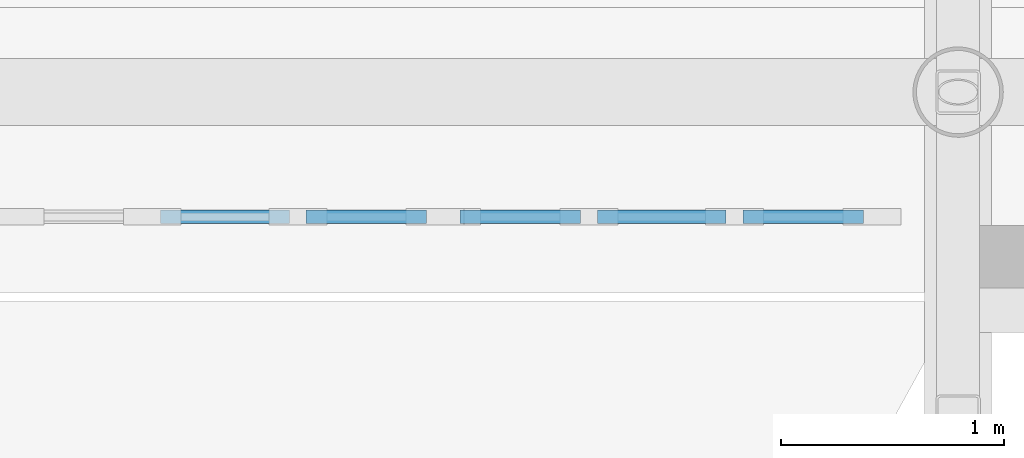
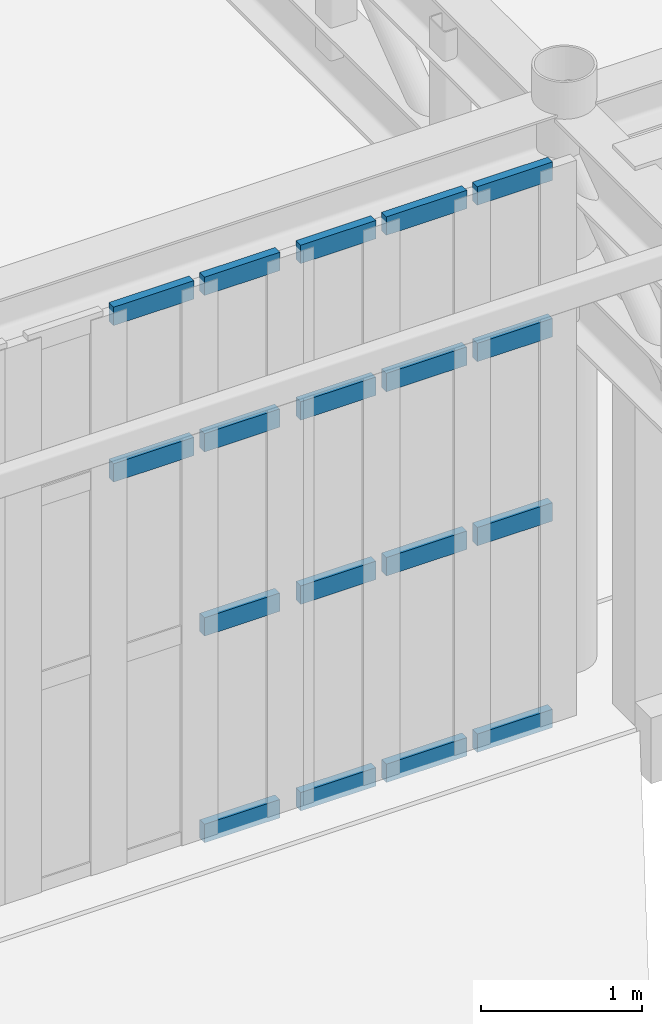
# One storey, part 38 of 91: 18 members, 2 elements without a shape of their own.
"""IFC4 building model written with IfcOpenShell, lengths in metres."""

from ifc_helpers import new_model, si_unit, direction, frame, origin, origin_2d, place, context, subcontext, project, spatial, rectangle, extrude, material, material_profile, profile_set, type_object, element, aggregate, save


model = new_model("IFC4")

# Units and contexts
model_context = context("Model", 3, precision=1e-05, world=origin(), true_north=direction((0.0, 1.0)))
body_context = subcontext(model_context, "Body", "Model", "MODEL_VIEW")
ifc_project = project(units=[si_unit("LENGTHUNIT", "METRE"), si_unit("AREAUNIT", "SQUARE_METRE"), si_unit("VOLUMEUNIT", "CUBIC_METRE"), si_unit("PLANEANGLEUNIT", "RADIAN"), si_unit("MASSUNIT", "GRAM", prefix="KILO")], contexts=[model_context])

# Site, building, storey
site_placement = place(None, origin())
site = spatial("IfcSite", under=ifc_project, at=site_placement, CompositionType="ELEMENT")
building_placement = place(site_placement, origin())
building = spatial("IfcBuilding", under=site, at=building_placement, Name="Kolvaren Corner Interchange", CompositionType="ELEMENT")
storey_placement = place(building_placement, frame((0.0, 0.0, 6.0)))
storey = spatial("IfcBuildingStorey", under=building, at=storey_placement, Name="L02", CompositionType="ELEMENT", Elevation=6.0)

# Curtain wall, members
ifc_material_1 = material(Name="Unitised Aluminium and Solar-Control Glass Curtain Wall", Category="aluminium")
curtain_wall_type = type_object("IfcCurtainWallType", Name="CW-V1-MEZZ", PredefinedType="NOTDEFINED", material=ifc_material_1)
curtain_wall_1_placement = place(storey_placement, origin())
curtain_wall_1 = element("IfcCurtainWall", 1, at=curtain_wall_1_placement, inside=storey, type_object=curtain_wall_type, Name="South Portal Mezzanine Curtain Wall Bay 17", PredefinedType="NOTDEFINED")
ifc_material_2 = material(Name="Anodised Aluminium Framing", Category="aluminium")
ifc_material_profile = material_profile(ifc_material_2, rectangle(XDim=0.06005859375, YDim=0.139892578125, at=origin_2d()), Name="ALU 60x140")
ifc_profile_set = profile_set([ifc_material_profile], Name="Anodised Aluminium Framing")
member_type = type_object("IfcMemberType", Name="TRN-ALU60x140", PredefinedType="USERDEFINED", material=ifc_profile_set)
member_1_placement = place(storey_placement, frame((104.4189453125, 24.340087890625, 3.0), z_axis=(1.0, 0.0, 0.0), x_axis=(0.0, 1.0, 0.0)))
member_1 = element("IfcMember", 2, at=member_1_placement, type_object=member_type, Name="CW-035 transom 2.3", ObjectType="TRANSOM", PredefinedType="USERDEFINED", context=body_context, shape_type="SweptSolid", body=[
    extrude(rectangle(XDim=0.06005859375, YDim=0.139892578125, at=origin_2d()), origin(), (0.0, 0.0, 1.0), 0.578857421875),
])
member_2_placement = place(storey_placement, frame((104.4189453125, 24.340087890625, 4.18994140625), z_axis=(1.0, 0.0, 0.0), x_axis=(0.0, 1.0, 0.0)))
member_2 = element("IfcMember", 3, at=member_2_placement, type_object=member_type, Name="CW-035 transom 2.4", ObjectType="TRANSOM", PredefinedType="USERDEFINED", context=body_context, shape_type="SweptSolid", body=[
    extrude(rectangle(XDim=0.06005859375, YDim=0.139892578125, at=origin_2d()), origin(), (0.0, 0.0, 1.0), 0.578857421875),
])
member_3_placement = place(storey_placement, frame((105.07275390625, 24.340087890625, 0.030029296875), z_axis=(1.0, 0.0, 0.0), x_axis=(0.0, 1.0, 0.0)))
member_3 = element("IfcMember", 4, at=member_3_placement, type_object=member_type, Name="CW-035 transom 3.1", ObjectType="TRANSOM", PredefinedType="USERDEFINED", context=body_context, shape_type="SweptSolid", body=[
    extrude(rectangle(XDim=0.06005859375, YDim=0.139892578125, at=origin_2d()), origin(), (0.0, 0.0, 1.0), 0.541259765625),
])
member_4_placement = place(storey_placement, frame((105.07275390625, 24.340087890625, 1.60009765625), z_axis=(1.0, 0.0, 0.0), x_axis=(0.0, 1.0, 0.0)))
member_4 = element("IfcMember", 5, at=member_4_placement, type_object=member_type, Name="CW-035 transom 3.2", ObjectType="TRANSOM", PredefinedType="USERDEFINED", context=body_context, shape_type="SweptSolid", body=[
    extrude(rectangle(XDim=0.06005859375, YDim=0.139892578125, at=origin_2d()), origin(), (0.0, 0.0, 1.0), 0.541259765625),
])
member_5_placement = place(storey_placement, frame((105.07275390625, 24.340087890625, 3.0), z_axis=(1.0, 0.0, 0.0), x_axis=(0.0, 1.0, 0.0)))
member_5 = element("IfcMember", 6, at=member_5_placement, type_object=member_type, Name="CW-035 transom 3.3", ObjectType="TRANSOM", PredefinedType="USERDEFINED", context=body_context, shape_type="SweptSolid", body=[
    extrude(rectangle(XDim=0.06005859375, YDim=0.139892578125, at=origin_2d()), origin(), (0.0, 0.0, 1.0), 0.541259765625),
])
member_6_placement = place(storey_placement, frame((105.07275390625, 24.340087890625, 4.18994140625), z_axis=(1.0, 0.0, 0.0), x_axis=(0.0, 1.0, 0.0)))
member_6 = element("IfcMember", 7, at=member_6_placement, type_object=member_type, Name="CW-035 transom 3.4", ObjectType="TRANSOM", PredefinedType="USERDEFINED", context=body_context, shape_type="SweptSolid", body=[
    extrude(rectangle(XDim=0.06005859375, YDim=0.139892578125, at=origin_2d()), origin(), (0.0, 0.0, 1.0), 0.541259765625),
])
aggregate(curtain_wall_1, [member_1, member_2, member_3, member_4, member_5, member_6])

curtain_wall_2_placement = place(storey_placement, origin())
curtain_wall_2 = element("IfcCurtainWall", 8, at=curtain_wall_2_placement, inside=storey, type_object=curtain_wall_type, Name="South Portal Mezzanine Curtain Wall Bay 18", PredefinedType="NOTDEFINED")
member_7_placement = place(storey_placement, frame((105.763916015625, 24.340087890625, 0.030029296875), z_axis=(1.0, 0.0, 0.0), x_axis=(0.0, 1.0, 0.0)))
member_7 = element("IfcMember", 9, at=member_7_placement, type_object=member_type, Name="CW-036 transom 1.1", ObjectType="TRANSOM", PredefinedType="USERDEFINED", context=body_context, shape_type="SweptSolid", body=[
    extrude(rectangle(XDim=0.06005859375, YDim=0.139892578125, at=origin_2d()), origin(), (0.0, 0.0, 1.0), 0.541259765625),
])
member_8_placement = place(storey_placement, frame((105.763916015625, 24.340087890625, 1.60009765625), z_axis=(1.0, 0.0, 0.0), x_axis=(0.0, 1.0, 0.0)))
member_8 = element("IfcMember", 10, at=member_8_placement, type_object=member_type, Name="CW-036 transom 1.2", ObjectType="TRANSOM", PredefinedType="USERDEFINED", context=body_context, shape_type="SweptSolid", body=[
    extrude(rectangle(XDim=0.06005859375, YDim=0.139892578125, at=origin_2d()), origin(), (0.0, 0.0, 1.0), 0.541259765625),
])
member_9_placement = place(storey_placement, frame((105.763916015625, 24.340087890625, 3.0), z_axis=(1.0, 0.0, 0.0), x_axis=(0.0, 1.0, 0.0)))
member_9 = element("IfcMember", 11, at=member_9_placement, type_object=member_type, Name="CW-036 transom 1.3", ObjectType="TRANSOM", PredefinedType="USERDEFINED", context=body_context, shape_type="SweptSolid", body=[
    extrude(rectangle(XDim=0.06005859375, YDim=0.139892578125, at=origin_2d()), origin(), (0.0, 0.0, 1.0), 0.541259765625),
])
member_10_placement = place(storey_placement, frame((105.763916015625, 24.340087890625, 4.18994140625), z_axis=(1.0, 0.0, 0.0), x_axis=(0.0, 1.0, 0.0)))
member_10 = element("IfcMember", 12, at=member_10_placement, type_object=member_type, Name="CW-036 transom 1.4", ObjectType="TRANSOM", PredefinedType="USERDEFINED", context=body_context, shape_type="SweptSolid", body=[
    extrude(rectangle(XDim=0.06005859375, YDim=0.139892578125, at=origin_2d()), origin(), (0.0, 0.0, 1.0), 0.541259765625),
])
member_11_placement = place(storey_placement, frame((106.380126953125, 24.340087890625, 0.030029296875), z_axis=(1.0, 0.0, 0.0), x_axis=(0.0, 1.0, 0.0)))
member_11 = element("IfcMember", 13, at=member_11_placement, type_object=member_type, Name="CW-036 transom 2.1", ObjectType="TRANSOM", PredefinedType="USERDEFINED", context=body_context, shape_type="SweptSolid", body=[
    extrude(rectangle(XDim=0.06005859375, YDim=0.139892578125, at=origin_2d()), origin(), (0.0, 0.0, 1.0), 0.57861328125),
])
member_12_placement = place(storey_placement, frame((106.380126953125, 24.340087890625, 1.60009765625), z_axis=(1.0, 0.0, 0.0), x_axis=(0.0, 1.0, 0.0)))
member_12 = element("IfcMember", 14, at=member_12_placement, type_object=member_type, Name="CW-036 transom 2.2", ObjectType="TRANSOM", PredefinedType="USERDEFINED", context=body_context, shape_type="SweptSolid", body=[
    extrude(rectangle(XDim=0.06005859375, YDim=0.139892578125, at=origin_2d()), origin(), (0.0, 0.0, 1.0), 0.57861328125),
])
member_13_placement = place(storey_placement, frame((106.380126953125, 24.340087890625, 3.0), z_axis=(1.0, 0.0, 0.0), x_axis=(0.0, 1.0, 0.0)))
member_13 = element("IfcMember", 15, at=member_13_placement, type_object=member_type, Name="CW-036 transom 2.3", ObjectType="TRANSOM", PredefinedType="USERDEFINED", context=body_context, shape_type="SweptSolid", body=[
    extrude(rectangle(XDim=0.06005859375, YDim=0.139892578125, at=origin_2d()), origin(), (0.0, 0.0, 1.0), 0.57861328125),
])
member_14_placement = place(storey_placement, frame((106.380126953125, 24.340087890625, 4.18994140625), z_axis=(1.0, 0.0, 0.0), x_axis=(0.0, 1.0, 0.0)))
member_14 = element("IfcMember", 16, at=member_14_placement, type_object=member_type, Name="CW-036 transom 2.4", ObjectType="TRANSOM", PredefinedType="USERDEFINED", context=body_context, shape_type="SweptSolid", body=[
    extrude(rectangle(XDim=0.06005859375, YDim=0.139892578125, at=origin_2d()), origin(), (0.0, 0.0, 1.0), 0.57861328125),
])
member_15_placement = place(storey_placement, frame((107.03369140625, 24.340087890625, 0.030029296875), z_axis=(1.0, 0.0, 0.0), x_axis=(0.0, 1.0, 0.0)))
member_15 = element("IfcMember", 17, at=member_15_placement, type_object=member_type, Name="CW-036 transom 3.1", ObjectType="TRANSOM", PredefinedType="USERDEFINED", context=body_context, shape_type="SweptSolid", body=[
    extrude(rectangle(XDim=0.06005859375, YDim=0.139892578125, at=origin_2d()), origin(), (0.0, 0.0, 1.0), 0.541259765625),
])
member_16_placement = place(storey_placement, frame((107.03369140625, 24.340087890625, 1.60009765625), z_axis=(1.0, 0.0, 0.0), x_axis=(0.0, 1.0, 0.0)))
member_16 = element("IfcMember", 18, at=member_16_placement, type_object=member_type, Name="CW-036 transom 3.2", ObjectType="TRANSOM", PredefinedType="USERDEFINED", context=body_context, shape_type="SweptSolid", body=[
    extrude(rectangle(XDim=0.06005859375, YDim=0.139892578125, at=origin_2d()), origin(), (0.0, 0.0, 1.0), 0.541259765625),
])
member_17_placement = place(storey_placement, frame((107.03369140625, 24.340087890625, 3.0), z_axis=(1.0, 0.0, 0.0), x_axis=(0.0, 1.0, 0.0)))
member_17 = element("IfcMember", 19, at=member_17_placement, type_object=member_type, Name="CW-036 transom 3.3", ObjectType="TRANSOM", PredefinedType="USERDEFINED", context=body_context, shape_type="SweptSolid", body=[
    extrude(rectangle(XDim=0.06005859375, YDim=0.139892578125, at=origin_2d()), origin(), (0.0, 0.0, 1.0), 0.541259765625),
])
member_18_placement = place(storey_placement, frame((107.03369140625, 24.340087890625, 4.18994140625), z_axis=(1.0, 0.0, 0.0), x_axis=(0.0, 1.0, 0.0)))
member_18 = element("IfcMember", 20, at=member_18_placement, type_object=member_type, Name="CW-036 transom 3.4", ObjectType="TRANSOM", PredefinedType="USERDEFINED", context=body_context, shape_type="SweptSolid", body=[
    extrude(rectangle(XDim=0.06005859375, YDim=0.139892578125, at=origin_2d()), origin(), (0.0, 0.0, 1.0), 0.541259765625),
])
aggregate(curtain_wall_2, [member_7, member_8, member_9, member_10, member_11, member_12, member_13, member_14, member_15, member_16, member_17, member_18])

save(model, "model.ifc")
